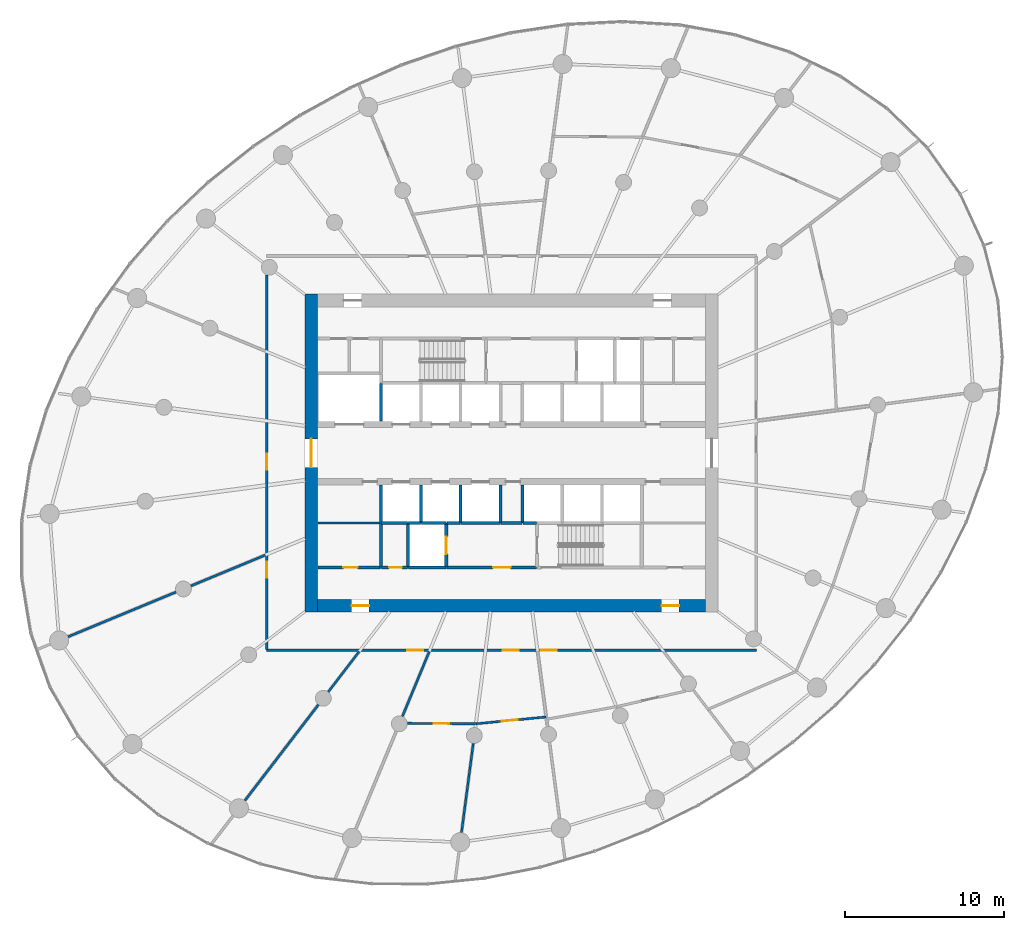
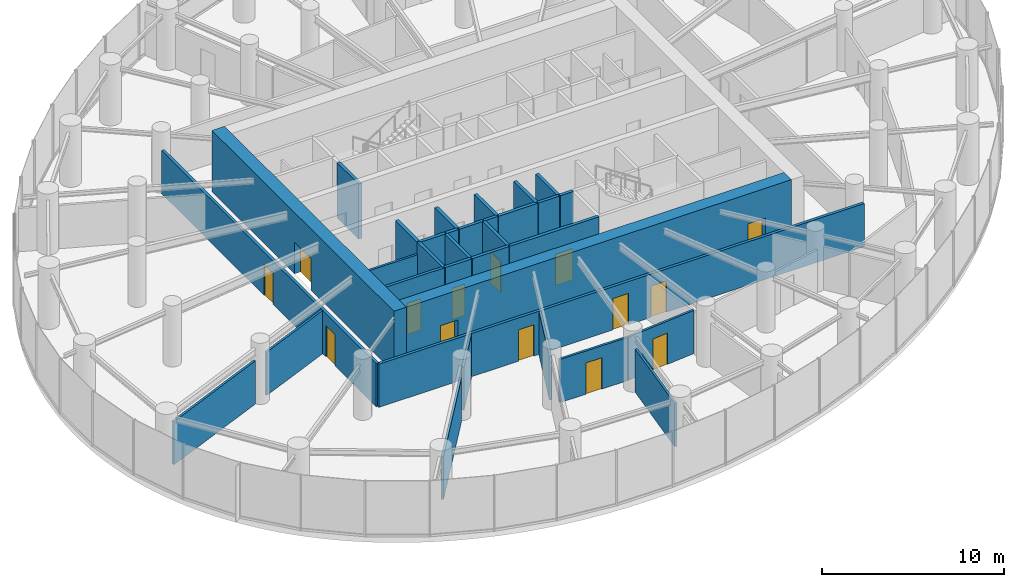
# One storey, part 10 of 17: 33 walls, 14 doors, 14 openings.
"""IFC4 building model written with IfcOpenShell, lengths in metres."""

from ifc_helpers import new_model, si_unit, direction, frame, frame_2d, origin, place, context, subcontext, project, spatial, rectangle, extrude, source, transform, mapped, material, layer, layer_set, type_object, element, fill, save


model = new_model("IFC4")

# Units and contexts
model_context = context("Model", 3, precision=1e-05, world=origin(), true_north=direction((0.0, 1.0)))
body_context = subcontext(model_context, "Body", "Model", "MODEL_VIEW")
ifc_project = project(units=[si_unit("LENGTHUNIT", "METRE"), si_unit("AREAUNIT", "SQUARE_METRE"), si_unit("VOLUMEUNIT", "CUBIC_METRE"), si_unit("PLANEANGLEUNIT", "RADIAN"), si_unit("MASSUNIT", "GRAM", prefix="KILO")], contexts=[model_context])

# Site, building, storey
site_placement = place(None, origin())
site = spatial("IfcSite", under=ifc_project, at=site_placement, CompositionType="ELEMENT")
building_placement = place(site_placement, origin())
building = spatial("IfcBuilding", under=site, at=building_placement, Name="Spindrift Exchange Tower", CompositionType="ELEMENT")
storey_placement = place(building_placement, frame((0.0, 0.0, 120.800048828125)))
storey = spatial("IfcBuildingStorey", under=building, at=storey_placement, Name="L28", CompositionType="ELEMENT", Elevation=120.800048828125)

# Wall, opening, door
ifc_material_1 = material(Name="Concrete 65 MPa", Category="concrete")
ifc_layer_1 = layer(ifc_material_1, 0.800048828125)
ifc_layer_set_1 = layer_set([ifc_layer_1], Name="RC Core Wall 800 Concrete 65 MPa")
wall_type_1 = type_object("IfcWallType", Name="RC Core Wall 800 Concrete 65 MPa", PredefinedType="SHEAR", material=ifc_layer_set_1)
wall_1_placement = place(storey_placement, frame((39.39990234375, 58.0, 0.0), z_axis=(0.0, 0.0, 1.0), x_axis=(0.0, -1.0, 0.0)))
wall_1 = element("IfcWall", 1, at=wall_1_placement, inside=storey, type_object=wall_type_1, Name="Core wall W L28", PredefinedType="SHEAR", context=body_context, shape_type="SweptSolid", body=[
    extrude(rectangle(XDim=20.0, YDim=0.800048828125, at=frame_2d((10.0, 0.0))), origin(), (0.0, 0.0, 1.0), 4.099853515625),
])
opening_1_placement = place(wall_1_placement, frame((9.10009765625, 0.0, 0.0)))
opening_1 = element("IfcOpeningElement", 2, at=opening_1_placement, cuts=wall_1, Name="Opening L28-D1", PredefinedType="OPENING", context=body_context, shape_type="SweptSolid", body=[
    extrude(rectangle(XDim=1.800048828125, YDim=2.10009765625, at=frame_2d((0.89990234375, 1.050048828125))), frame((0.0, 0.409912109375, 0.0), z_axis=(0.0, -1.0, 0.0), x_axis=(1.0, 0.0, 0.0)), (0.0, 0.0, 1.0), 0.820068359375),
])
ifc_material_2 = material(Name="Timber-core fire door", Category="wood")
door_type_1 = type_object("IfcDoorType", Name="DR-LOBBY-1800", OperationType="NOTDEFINED", PredefinedType="DOOR", material=ifc_material_2)
shared_shape_1 = source(origin(), body_context, "Body", "SweptSolid", [
    extrude(rectangle(XDim=1.800048828125, YDim=2.10009765625, at=frame_2d((0.89990234375, 1.050048828125))), frame((0.0, 0.02490234375, 0.0), z_axis=(0.0, -1.0, 0.0), x_axis=(1.0, 0.0, 0.0)), (0.0, 0.0, 1.0), 0.050048828125),
])
door_1_placement = place(opening_1_placement, origin())
door_1 = element("IfcDoor", 3, at=door_1_placement, inside=storey, type_object=door_type_1, Name="L28 Lobby door 1", OperationType="SINGLE_SWING_RIGHT", OverallHeight=2.10009765625, OverallWidth=1.800048828125, PredefinedType="DOOR", context=body_context, shape_type="MappedRepresentation", body=[
    mapped(shared_shape_1, transform((0.0, 0.0, 0.0), scale=1.0)),
])
fill(opening_1, door_1)

# Wall, openings, doors
wall_2_placement = place(storey_placement, frame((39.800048828125, 38.39990234375, 0.0), z_axis=(0.0, 0.0, 1.0), x_axis=(1.0, 0.0, 0.0)))
wall_2 = element("IfcWall", 4, at=wall_2_placement, inside=storey, type_object=wall_type_1, Name="Core wall S L28", PredefinedType="SHEAR", context=body_context, shape_type="SweptSolid", body=[
    extrude(rectangle(XDim=24.39990234375, YDim=0.800048828125, at=frame_2d((12.199951171875, 0.0))), origin(), (0.0, 0.0, 1.0), 4.099853515625),
])
opening_2_placement = place(wall_2_placement, frame((21.64990234375, 0.0, 0.0)))
opening_2 = element("IfcOpeningElement", 5, at=opening_2_placement, cuts=wall_2, Name="Opening L28-D22", PredefinedType="OPENING", context=body_context, shape_type="SweptSolid", body=[
    extrude(rectangle(XDim=1.10009765625, YDim=2.10009765625, at=frame_2d((0.550048828125, 1.050048828125))), frame((0.0, 0.409912109375, 0.0), z_axis=(0.0, -1.0, 0.0), x_axis=(1.0, 0.0, 0.0)), (0.0, 0.0, 1.0), 0.820068359375),
])
opening_3_placement = place(wall_2_placement, frame((2.14990234375, 0.0, 0.0)))
opening_3 = element("IfcOpeningElement", 6, at=opening_3_placement, cuts=wall_2, Name="Opening L28-D23", PredefinedType="OPENING", context=body_context, shape_type="SweptSolid", body=[
    extrude(rectangle(XDim=1.10009765625, YDim=2.10009765625, at=frame_2d((0.550048828125, 1.050048828125))), frame((0.0, 0.409912109375, 0.0), z_axis=(0.0, -1.0, 0.0), x_axis=(1.0, 0.0, 0.0)), (0.0, 0.0, 1.0), 0.820068359375),
])
ifc_material_3 = material(Name="Steel fire door", Category="steel")
door_type_2 = type_object("IfcDoorType", Name="DR-STAIR-1100", OperationType="NOTDEFINED", PredefinedType="DOOR", material=ifc_material_3)
shared_shape_2 = source(origin(), body_context, "Body", "SweptSolid", [
    extrude(rectangle(XDim=1.10009765625, YDim=2.10009765625, at=frame_2d((0.550048828125, 1.050048828125))), frame((0.0, 0.02490234375, 0.0), z_axis=(0.0, -1.0, 0.0), x_axis=(1.0, 0.0, 0.0)), (0.0, 0.0, 1.0), 0.050048828125),
])
door_2_placement = place(opening_2_placement, origin())
door_2 = element("IfcDoor", 7, at=door_2_placement, inside=storey, type_object=door_type_2, Name="L28 Stair door 22", OperationType="SINGLE_SWING_LEFT", OverallHeight=2.10009765625, OverallWidth=1.10009765625, PredefinedType="DOOR", context=body_context, shape_type="MappedRepresentation", body=[
    mapped(shared_shape_2, transform((0.0, 0.0, 0.0), scale=1.0)),
])
fill(opening_2, door_2)
door_3_placement = place(opening_3_placement, origin())
door_3 = element("IfcDoor", 8, at=door_3_placement, inside=storey, type_object=door_type_2, Name="L28 Stair door 23", OperationType="SINGLE_SWING_RIGHT", OverallHeight=2.10009765625, OverallWidth=1.10009765625, PredefinedType="DOOR", context=body_context, shape_type="MappedRepresentation", body=[
    mapped(shared_shape_2, transform((0.0, 0.0, 0.0), scale=1.0)),
])
fill(opening_3, door_3)

# Wall, opening, door
ifc_material_4 = material(Name="Fire-rated plasterboard partition", Category="gypsum")
ifc_layer_2 = layer(ifc_material_4, 0.179931640625)
ifc_layer_set_2 = layer_set([ifc_layer_2], Name="W-CORR-180")
wall_type_2 = type_object("IfcWallType", Name="W-CORR-180", PredefinedType="PARTITIONING", material=ifc_layer_set_2)
wall_3_placement = place(storey_placement, frame((39.820068359375, 40.800048828125, 0.0), z_axis=(0.0, 0.0, 1.0), x_axis=(1.0, 0.0, 0.0)))
wall_3 = element("IfcWall", 9, at=wall_3_placement, inside=storey, type_object=wall_type_2, Name="L28 Partition wall 63", PredefinedType="PARTITIONING", context=body_context, shape_type="SweptSolid", body=[
    extrude(rectangle(XDim=3.949951171875, YDim=0.179931640625, at=frame_2d((1.97509765625, 0.0))), origin(), (0.0, 0.0, 1.0), 3.699951171875),
])
opening_4_placement = place(wall_3_placement, frame((1.60009765625, 0.0, 0.0)))
opening_4 = element("IfcOpeningElement", 10, at=opening_4_placement, cuts=wall_3, Name="Opening L28-D46", PredefinedType="OPENING", context=body_context, shape_type="SweptSolid", body=[
    extrude(rectangle(XDim=0.89990234375, YDim=2.10009765625, at=frame_2d((0.449951171875, 1.050048828125))), frame((0.0, 0.099853515625, 0.0), z_axis=(0.0, -1.0, 0.0), x_axis=(1.0, 0.0, 0.0)), (0.0, 0.0, 1.0), 0.199951171875),
])
ifc_material_5 = material(Name="Steel access door", Category="steel")
door_type_3 = type_object("IfcDoorType", Name="DR-RISER-900", OperationType="NOTDEFINED", PredefinedType="DOOR", material=ifc_material_5)
shared_shape_3 = source(origin(), body_context, "Body", "SweptSolid", [
    extrude(rectangle(XDim=0.89990234375, YDim=2.10009765625, at=frame_2d((0.449951171875, 1.050048828125))), frame((0.0, 0.02490234375, 0.0), z_axis=(0.0, -1.0, 0.0), x_axis=(1.0, 0.0, 0.0)), (0.0, 0.0, 1.0), 0.050048828125),
])
door_4_placement = place(opening_4_placement, origin())
door_4 = element("IfcDoor", 11, at=door_4_placement, inside=storey, type_object=door_type_3, Name="L28 Riser door 46", OperationType="SINGLE_SWING_LEFT", OverallHeight=2.10009765625, OverallWidth=0.89990234375, PredefinedType="DOOR", context=body_context, shape_type="MappedRepresentation", body=[
    mapped(shared_shape_3, transform((0.0, 0.0, 0.0), scale=1.0)),
])
fill(opening_4, door_4)

ifc_layer_3 = layer(ifc_material_4, 0.139892578125)
ifc_layer_set_3 = layer_set([ifc_layer_3], Name="W-PART-140")
wall_type_3 = type_object("IfcWallType", Name="W-PART-140", PredefinedType="PARTITIONING", material=ifc_layer_set_3)
wall_4_placement = place(storey_placement, frame((54.185546875, 31.3994140625, 0.0), z_axis=(0.0, 0.0, 1.0), x_axis=(-0.995308336276, -0.096753892636, 0.0)))
wall_4 = element("IfcWall", 12, at=wall_4_placement, inside=storey, type_object=wall_type_3, Name="L28 Partition wall 85", PredefinedType="PARTITIONING", context=body_context, shape_type="SweptSolid", body=[
    extrude(rectangle(XDim=4.448486328125, YDim=0.139892578125, at=frame_2d((2.22412109375, 0.0))), origin(), (0.0, 0.0, 1.0), 2.89990234375),
])
opening_5_placement = place(wall_4_placement, frame((1.798583984375, 0.0, 0.0)))
opening_5 = element("IfcOpeningElement", 13, at=opening_5_placement, cuts=wall_4, Name="Opening L28-D33", PredefinedType="OPENING", context=body_context, shape_type="SweptSolid", body=[
    extrude(rectangle(XDim=1.0, YDim=2.10009765625, at=frame_2d((0.5, 1.050048828125))), frame((0.0, 0.079833984375, 0.0), z_axis=(0.0, -1.0, 0.0), x_axis=(1.0, 0.0, 0.0)), (0.0, 0.0, 1.0), 0.159912109375),
])
door_type_4 = type_object("IfcDoorType", Name="DR-ROOM-1000", OperationType="NOTDEFINED", PredefinedType="DOOR", material=ifc_material_2)
shared_shape_4 = source(origin(), body_context, "Body", "SweptSolid", [
    extrude(rectangle(XDim=1.0, YDim=2.10009765625, at=frame_2d((0.5, 1.050048828125))), frame((0.0, 0.02490234375, 0.0), z_axis=(0.0, -1.0, 0.0), x_axis=(1.0, 0.0, 0.0)), (0.0, 0.0, 1.0), 0.050048828125),
])
door_5_placement = place(opening_5_placement, origin())
door_5 = element("IfcDoor", 14, at=door_5_placement, inside=storey, type_object=door_type_4, Name="L28 Door 33", OperationType="SINGLE_SWING_RIGHT", OverallHeight=2.10009765625, OverallWidth=1.0, PredefinedType="DOOR", context=body_context, shape_type="MappedRepresentation", body=[
    mapped(shared_shape_4, transform((0.0, 0.0, 0.0), scale=1.0)),
])
fill(opening_5, door_5)

# Walls
wall_5_placement = place(storey_placement, frame((43.77001953125, 43.60009765625, 0.0), z_axis=(0.0, 0.0, 1.0), x_axis=(-1.0, 0.0, 0.0)))
element("IfcWall", 15, at=wall_5_placement, inside=storey, type_object=wall_type_3, Name="L28 Partition wall 94", PredefinedType="PARTITIONING", context=body_context, shape_type="SweptSolid", body=[
    extrude(rectangle(XDim=3.949951171875, YDim=0.139892578125, at=frame_2d((1.97509765625, 0.0))), origin(), (0.0, 0.0, 1.0), 2.89990234375),
])
ifc_layer_4 = layer(ifc_material_4, 0.139892578125)
ifc_layer_set_4 = layer_set([ifc_layer_4], Name="W-PLANT-140")
wall_type_4 = type_object("IfcWallType", Name="W-PLANT-140", PredefinedType="PARTITIONING", material=ifc_layer_set_4)
wall_6_placement = place(storey_placement, frame((39.85791015625, 32.176025390625, 0.0), z_axis=(0.0, 0.0, 1.0), x_axis=(-0.608755907151, -0.793357577331, 0.0)))
element("IfcWall", 16, at=wall_6_placement, inside=storey, type_object=wall_type_4, Name="L28 Partition wall 65", PredefinedType="PARTITIONING", context=body_context, shape_type="SweptSolid", body=[
    extrude(rectangle(XDim=7.614990234375, YDim=0.139892578125, at=frame_2d((3.8076171875, 0.0))), origin(), (0.0, 0.0, 1.0), 2.89990234375),
])
wall_7_placement = place(storey_placement, frame((30.89404296875, 39.2578125, 0.0), z_axis=(0.0, 0.0, 1.0), x_axis=(-0.923867037115, -0.382713597528, 0.0)))
element("IfcWall", 17, at=wall_7_placement, inside=storey, type_object=wall_type_4, Name="L28 Partition wall 66", PredefinedType="PARTITIONING", context=body_context, shape_type="SweptSolid", body=[
    extrude(rectangle(XDim=7.35009765625, YDim=0.139892578125, at=frame_2d((3.675048828125, 0.0))), origin(), (0.0, 0.0, 1.0), 2.89990234375),
])
wall_8_placement = place(storey_placement, frame((49.594970703125, 29.732666015625, 0.0), z_axis=(0.0, 0.0, 1.0), x_axis=(-0.130510314557, -0.991446951578, 0.0)))
element("IfcWall", 18, at=wall_8_placement, inside=storey, type_object=wall_type_4, Name="L28 Partition wall 74", PredefinedType="PARTITIONING", context=body_context, shape_type="SweptSolid", body=[
    extrude(rectangle(XDim=5.65869140625, YDim=0.139892578125, at=frame_2d((2.829345703125, 0.0))), origin(), (0.0, 0.0, 1.0), 2.89990234375),
])
wall_9_placement = place(storey_placement, frame((36.510009765625, 41.583740234375, 0.0), z_axis=(0.0, 0.0, 1.0), x_axis=(-0.923890025086, -0.382658100067, 0.0)))
element("IfcWall", 19, at=wall_9_placement, inside=storey, type_object=wall_type_4, Name="L28 Partition wall 77", PredefinedType="PARTITIONING", context=body_context, shape_type="SweptSolid", body=[
    extrude(rectangle(XDim=5.068359375, YDim=0.139892578125, at=frame_2d((2.5341796875, 0.0))), origin(), (0.0, 0.0, 1.0), 2.89990234375),
])
wall_10_placement = place(storey_placement, frame((46.826416015625, 35.510009765625, 0.0), z_axis=(0.0, 0.0, 1.0), x_axis=(-0.382672831764, -0.923883923353, 0.0)))
element("IfcWall", 20, at=wall_10_placement, inside=storey, type_object=wall_type_4, Name="L28 Partition wall 83", PredefinedType="PARTITIONING", context=body_context, shape_type="SweptSolid", body=[
    extrude(rectangle(XDim=4.410400390625, YDim=0.139892578125, at=frame_2d((2.205078125, 0.0))), origin(), (0.0, 0.0, 1.0), 2.89990234375),
])

# Wall, opening, door
wall_11_placement = place(storey_placement, frame((49.727783203125, 30.96923828125, 0.0), z_axis=(0.0, 0.0, 1.0), x_axis=(-0.999976168049, 0.006903863764, 0.0)))
wall_11 = element("IfcWall", 21, at=wall_11_placement, inside=storey, type_object=wall_type_4, Name="L28 Partition wall 87", PredefinedType="PARTITIONING", context=body_context, shape_type="SweptSolid", body=[
    extrude(rectangle(XDim=4.27880859375, YDim=0.139892578125, at=frame_2d((2.139404296875, 0.0))), origin(), (0.0, 0.0, 1.0), 2.89990234375),
])
opening_6_placement = place(wall_11_placement, frame((1.62890625, 0.0, 0.0)))
opening_6 = element("IfcOpeningElement", 22, at=opening_6_placement, cuts=wall_11, Name="Opening L28-D32", PredefinedType="OPENING", context=body_context, shape_type="SweptSolid", body=[
    extrude(rectangle(XDim=1.0, YDim=2.10009765625, at=frame_2d((0.5, 1.050048828125))), frame((0.0, 0.079833984375, 0.0), z_axis=(0.0, -1.0, 0.0), x_axis=(1.0, 0.0, 0.0)), (0.0, 0.0, 1.0), 0.159912109375),
])
door_6_placement = place(opening_6_placement, origin())
door_6 = element("IfcDoor", 23, at=door_6_placement, inside=storey, type_object=door_type_4, Name="L28 Door 32", OperationType="SINGLE_SWING_LEFT", OverallHeight=2.10009765625, OverallWidth=1.0, PredefinedType="DOOR", context=body_context, shape_type="MappedRepresentation", body=[
    mapped(shared_shape_4, transform((0.0, 0.0, 0.0), scale=1.0)),
])
fill(opening_6, door_6)

# Wall
wall_12_placement = place(storey_placement, frame((42.416015625, 35.510009765625, 0.0), z_axis=(0.0, 0.0, 1.0), x_axis=(-0.60874605662, -0.793365135703, 0.0)))
element("IfcWall", 24, at=wall_12_placement, inside=storey, type_object=wall_type_4, Name="L28 Partition wall 100", PredefinedType="PARTITIONING", context=body_context, shape_type="SweptSolid", body=[
    extrude(rectangle(XDim=3.193603515625, YDim=0.139892578125, at=frame_2d((1.5966796875, 0.0))), origin(), (0.0, 0.0, 1.0), 2.89990234375),
])

# Wall, openings, doors
ifc_layer_5 = layer(ifc_material_4, 0.179931640625)
ifc_layer_set_5 = layer_set([ifc_layer_5], Name="W-PLANT-180")
wall_type_5 = type_object("IfcWallType", Name="W-PLANT-180", PredefinedType="PARTITIONING", material=ifc_layer_set_5)
wall_13_placement = place(storey_placement, frame((67.39990234375, 35.60009765625, 0.0), z_axis=(0.0, 0.0, 1.0), x_axis=(-1.0, 0.0, 0.0)))
wall_13 = element("IfcWall", 25, at=wall_13_placement, inside=storey, type_object=wall_type_5, Name="L28 Partition wall 57", PredefinedType="PARTITIONING", context=body_context, shape_type="SweptSolid", body=[
    extrude(rectangle(XDim=30.7998046875, YDim=0.179931640625, at=frame_2d((15.39990234375, 0.0))), origin(), (0.0, 0.0, 1.0), 2.89990234375),
])
opening_7_placement = place(wall_13_placement, frame((20.949951171875, 0.0, 0.0)))
opening_7 = element("IfcOpeningElement", 26, at=opening_7_placement, cuts=wall_13, Name="Opening L28-D30", PredefinedType="OPENING", context=body_context, shape_type="SweptSolid", body=[
    extrude(rectangle(XDim=1.0, YDim=2.10009765625, at=frame_2d((0.5, 1.050048828125))), frame((0.0, 0.099853515625, 0.0), z_axis=(0.0, -1.0, 0.0), x_axis=(1.0, 0.0, 0.0)), (0.0, 0.0, 1.0), 0.199951171875),
])
opening_8_placement = place(wall_13_placement, frame((14.949951171875, 0.0, 0.0)))
opening_8 = element("IfcOpeningElement", 27, at=opening_8_placement, cuts=wall_13, Name="Opening L28-D31", PredefinedType="OPENING", context=body_context, shape_type="SweptSolid", body=[
    extrude(rectangle(XDim=1.0, YDim=2.10009765625, at=frame_2d((0.5, 1.050048828125))), frame((0.0, 0.099853515625, 0.0), z_axis=(0.0, -1.0, 0.0), x_axis=(1.0, 0.0, 0.0)), (0.0, 0.0, 1.0), 0.199951171875),
])
opening_9_placement = place(wall_13_placement, frame((12.550048828125, 0.0, 0.0)))
opening_9 = element("IfcOpeningElement", 28, at=opening_9_placement, cuts=wall_13, Name="Opening L28-D34", PredefinedType="OPENING", context=body_context, shape_type="SweptSolid", body=[
    extrude(rectangle(XDim=1.0, YDim=2.10009765625, at=frame_2d((0.5, 1.050048828125))), frame((0.0, 0.099853515625, 0.0), z_axis=(0.0, -1.0, 0.0), x_axis=(1.0, 0.0, 0.0)), (0.0, 0.0, 1.0), 0.199951171875),
])
door_7_placement = place(opening_7_placement, origin())
door_7 = element("IfcDoor", 29, at=door_7_placement, inside=storey, type_object=door_type_4, Name="L28 Door 30", OperationType="SINGLE_SWING_LEFT", OverallHeight=2.10009765625, OverallWidth=1.0, PredefinedType="DOOR", context=body_context, shape_type="MappedRepresentation", body=[
    mapped(shared_shape_4, transform((0.0, 0.0, 0.0), scale=1.0)),
])
fill(opening_7, door_7)
door_8_placement = place(opening_8_placement, origin())
door_8 = element("IfcDoor", 30, at=door_8_placement, inside=storey, type_object=door_type_4, Name="L28 Door 31", OperationType="SINGLE_SWING_RIGHT", OverallHeight=2.10009765625, OverallWidth=1.0, PredefinedType="DOOR", context=body_context, shape_type="MappedRepresentation", body=[
    mapped(shared_shape_4, transform((0.0, 0.0, 0.0), scale=1.0)),
])
fill(opening_8, door_8)
door_9_placement = place(opening_9_placement, origin())
door_9 = element("IfcDoor", 31, at=door_9_placement, inside=storey, type_object=door_type_4, Name="L28 Door 34", OperationType="SINGLE_SWING_LEFT", OverallHeight=2.10009765625, OverallWidth=1.0, PredefinedType="DOOR", context=body_context, shape_type="MappedRepresentation", body=[
    mapped(shared_shape_4, transform((0.0, 0.0, 0.0), scale=1.0)),
])
fill(opening_9, door_9)

wall_14_placement = place(storey_placement, frame((36.60009765625, 35.6298828125, 0.0), z_axis=(0.0, 0.0, 1.0), x_axis=(0.0, 1.0, 0.0)))
wall_14 = element("IfcWall", 32, at=wall_14_placement, inside=storey, type_object=wall_type_5, Name="L28 Partition wall 60", PredefinedType="PARTITIONING", context=body_context, shape_type="SweptSolid", body=[
    extrude(rectangle(XDim=23.58251953125, YDim=0.179931640625, at=frame_2d((11.791259765625, 0.0))), origin(), (0.0, 0.0, 1.0), 2.89990234375),
])
opening_10_placement = place(wall_14_placement, frame((11.33251953125, 0.0, 0.0)))
opening_10 = element("IfcOpeningElement", 33, at=opening_10_placement, cuts=wall_14, Name="Opening L28-D28", PredefinedType="OPENING", context=body_context, shape_type="SweptSolid", body=[
    extrude(rectangle(XDim=1.0, YDim=2.10009765625, at=frame_2d((0.5, 1.050048828125))), frame((0.0, 0.099853515625, 0.0), z_axis=(0.0, -1.0, 0.0), x_axis=(1.0, 0.0, 0.0)), (0.0, 0.0, 1.0), 0.199951171875),
])
opening_11_placement = place(wall_14_placement, frame((4.532470703125, 0.0, 0.0)))
opening_11 = element("IfcOpeningElement", 34, at=opening_11_placement, cuts=wall_14, Name="Opening L28-D29", PredefinedType="OPENING", context=body_context, shape_type="SweptSolid", body=[
    extrude(rectangle(XDim=1.0, YDim=2.10009765625, at=frame_2d((0.5, 1.050048828125))), frame((0.0, 0.099853515625, 0.0), z_axis=(0.0, -1.0, 0.0), x_axis=(1.0, 0.0, 0.0)), (0.0, 0.0, 1.0), 0.199951171875),
])
door_10_placement = place(opening_10_placement, origin())
door_10 = element("IfcDoor", 35, at=door_10_placement, inside=storey, type_object=door_type_4, Name="L28 Door 28", OperationType="SINGLE_SWING_LEFT", OverallHeight=2.10009765625, OverallWidth=1.0, PredefinedType="DOOR", context=body_context, shape_type="MappedRepresentation", body=[
    mapped(shared_shape_4, transform((0.0, 0.0, 0.0), scale=1.0)),
])
fill(opening_10, door_10)
door_11_placement = place(opening_11_placement, origin())
door_11 = element("IfcDoor", 36, at=door_11_placement, inside=storey, type_object=door_type_4, Name="L28 Door 29", OperationType="SINGLE_SWING_RIGHT", OverallHeight=2.10009765625, OverallWidth=1.0, PredefinedType="DOOR", context=body_context, shape_type="MappedRepresentation", body=[
    mapped(shared_shape_4, transform((0.0, 0.0, 0.0), scale=1.0)),
])
fill(opening_11, door_11)

# Walls
ifc_material_6 = material(Name="Concrete 40 MPa", Category="concrete")
ifc_layer_6 = layer(ifc_material_6, 0.199951171875)
ifc_layer_set_6 = layer_set([ifc_layer_6], Name="W-SHAFT-200")
wall_type_6 = type_object("IfcWallType", Name="W-SHAFT-200", PredefinedType="SOLIDWALL", material=ifc_layer_set_6)
for number, where, z_axis, x_axis, name in (
    (37, (43.800048828125, 43.60009765625, 0.0), (0.0, 0.0, 1.0), (0.0, -1.0, 0.0), "L28 Shaft wall 6"),
    (38, (45.5, 43.60009765625, 0.0), (0.0, 0.0, 1.0), (0.0, -1.0, 0.0), "L28 Shaft wall 7"),
):
    element("IfcWall", number, at=place(storey_placement, frame(where, z_axis=z_axis, x_axis=x_axis)), inside=storey, type_object=wall_type_6, Name=name, PredefinedType="SOLIDWALL", context=body_context, shape_type="SweptSolid", body=[
        extrude(rectangle(XDim=2.800048828125, YDim=0.199951171875, at=frame_2d((1.39990234375, 0.0))), origin(), (0.0, 0.0, 1.0), 3.699951171875),
    ])

# Wall, opening, door
wall_15_placement = place(storey_placement, frame((47.89990234375, 40.830078125, 0.0), z_axis=(0.0, 0.0, 1.0), x_axis=(0.0, 1.0, 0.0)))
wall_15 = element("IfcWall", 39, at=wall_15_placement, inside=storey, type_object=wall_type_6, Name="L28 Shaft wall 8", PredefinedType="SOLIDWALL", context=body_context, shape_type="SweptSolid", body=[
    extrude(rectangle(XDim=2.77001953125, YDim=0.199951171875, at=frame_2d((1.385009765625, 0.0))), origin(), (0.0, 0.0, 1.0), 3.699951171875),
])
opening_12_placement = place(wall_15_placement, frame((0.820068359375, 0.0, 0.0)))
opening_12 = element("IfcOpeningElement", 40, at=opening_12_placement, cuts=wall_15, Name="Opening L28-D10", PredefinedType="OPENING", context=body_context, shape_type="SweptSolid", body=[
    extrude(rectangle(XDim=1.10009765625, YDim=2.10009765625, at=frame_2d((0.550048828125, 1.050048828125))), frame((0.0, 0.10986328125, 0.0), z_axis=(0.0, -1.0, 0.0), x_axis=(1.0, 0.0, 0.0)), (0.0, 0.0, 1.0), 0.219970703125),
])
ifc_material_7 = material(Name="Stainless steel landing door", Category="steel")
door_type_5 = type_object("IfcDoorType", Name="DR-LANDING-1100-SL", OperationType="DOUBLE_DOOR_SLIDING", PredefinedType="USERDEFINED", material=ifc_material_7)
shared_shape_5 = source(origin(), body_context, "Body", "SweptSolid", [
    extrude(rectangle(XDim=1.10009765625, YDim=2.10009765625, at=frame_2d((0.550048828125, 1.050048828125))), frame((0.0, 0.02490234375, 0.0), z_axis=(0.0, -1.0, 0.0), x_axis=(1.0, 0.0, 0.0)), (0.0, 0.0, 1.0), 0.050048828125),
])
door_12_placement = place(opening_12_placement, origin())
door_12 = element("IfcDoor", 41, at=door_12_placement, inside=storey, type_object=door_type_5, Name="L28 Lift landing door 10", ObjectType="LANDING DOOR", OperationType="DOUBLE_DOOR_SLIDING", OverallHeight=2.10009765625, OverallWidth=1.10009765625, PredefinedType="USERDEFINED", context=body_context, shape_type="MappedRepresentation", body=[
    mapped(shared_shape_5, transform((0.0, 0.0, 0.0), scale=1.0)),
])
fill(opening_12, door_12)

# Walls
wall_16_placement = place(storey_placement, frame((48.800048828125, 43.60009765625, 0.0), z_axis=(0.0, 0.0, 1.0), x_axis=(1.0, 0.0, 0.0)))
element("IfcWall", 42, at=wall_16_placement, inside=storey, type_object=wall_type_6, Name="L28 Shaft wall 17", PredefinedType="SOLIDWALL", context=body_context, shape_type="SweptSolid", body=[
    extrude(rectangle(XDim=2.5, YDim=0.199951171875, at=frame_2d((1.25, 0.0))), origin(), (0.0, 0.0, 1.0), 3.699951171875),
])
wall_17_placement = place(storey_placement, frame((45.530029296875, 40.800048828125, 0.0), z_axis=(0.0, 0.0, 1.0), x_axis=(1.0, 0.0, 0.0)))
element("IfcWall", 43, at=wall_17_placement, inside=storey, type_object=wall_type_6, Name="L28 Shaft wall 21", PredefinedType="SOLIDWALL", context=body_context, shape_type="SweptSolid", body=[
    extrude(rectangle(XDim=2.340087890625, YDim=0.199951171875, at=frame_2d((1.169921875, 0.0))), origin(), (0.0, 0.0, 1.0), 3.699951171875),
])
wall_18_placement = place(storey_placement, frame((43.800048828125, 45.989990234375, 0.0), z_axis=(0.0, 0.0, 1.0), x_axis=(0.0, -1.0, 0.0)))
element("IfcWall", 44, at=wall_18_placement, inside=storey, type_object=wall_type_6, Name="L28 Shaft wall 23", PredefinedType="SOLIDWALL", context=body_context, shape_type="SweptSolid", body=[
    extrude(rectangle(XDim=2.360107421875, YDim=0.199951171875, at=frame_2d((1.18017578125, 0.0))), origin(), (0.0, 0.0, 1.0), 3.699951171875),
])
wall_19_placement = place(storey_placement, frame((46.300048828125, 43.60009765625, 0.0), z_axis=(0.0, 0.0, 1.0), x_axis=(0.0, 1.0, 0.0)))
element("IfcWall", 45, at=wall_19_placement, inside=storey, type_object=wall_type_6, Name="L28 Shaft wall 25", PredefinedType="SOLIDWALL", context=body_context, shape_type="SweptSolid", body=[
    extrude(rectangle(XDim=2.389892578125, YDim=0.199951171875, at=frame_2d((1.19482421875, 0.0))), origin(), (0.0, 0.0, 1.0), 3.699951171875),
])
for number, where, z_axis, x_axis, name in (
    (46, (48.800048828125, 43.6298828125, 0.0), (0.0, 0.0, 1.0), (0.0, 1.0, 0.0), "L28 Shaft wall 27"),
    (47, (51.300048828125, 43.6298828125, 0.0), (0.0, 0.0, 1.0), (0.0, 1.0, 0.0), "L28 Shaft wall 29"),
):
    element("IfcWall", number, at=place(storey_placement, frame(where, z_axis=z_axis, x_axis=x_axis)), inside=storey, type_object=wall_type_6, Name=name, PredefinedType="SOLIDWALL", context=body_context, shape_type="SweptSolid", body=[
        extrude(rectangle(XDim=2.360107421875, YDim=0.199951171875, at=frame_2d((1.18017578125, 0.0))), origin(), (0.0, 0.0, 1.0), 3.699951171875),
    ])
wall_20_placement = place(storey_placement, frame((52.699951171875, 45.989990234375, 0.0), z_axis=(0.0, 0.0, 1.0), x_axis=(0.0, -1.0, 0.0)))
element("IfcWall", 48, at=wall_20_placement, inside=storey, type_object=wall_type_6, Name="L28 Shaft wall 31", PredefinedType="SOLIDWALL", context=body_context, shape_type="SweptSolid", body=[
    extrude(rectangle(XDim=2.389892578125, YDim=0.199951171875, at=frame_2d((1.19482421875, 0.0))), origin(), (0.0, 0.0, 1.0), 3.699951171875),
])
wall_21_placement = place(storey_placement, frame((43.830078125, 43.60009765625, 0.0), z_axis=(0.0, 0.0, 1.0), x_axis=(1.0, 0.0, 0.0)))
element("IfcWall", 49, at=wall_21_placement, inside=storey, type_object=wall_type_6, Name="L28 Shaft wall 40", PredefinedType="SOLIDWALL", context=body_context, shape_type="SweptSolid", body=[
    extrude(rectangle(XDim=1.639892578125, YDim=0.199951171875, at=frame_2d((0.81982421875, 0.0))), origin(), (0.0, 0.0, 1.0), 3.699951171875),
])

# Wall, opening, door
wall_22_placement = place(storey_placement, frame((43.830078125, 40.800048828125, 0.0), z_axis=(0.0, 0.0, 1.0), x_axis=(1.0, 0.0, 0.0)))
wall_22 = element("IfcWall", 50, at=wall_22_placement, inside=storey, type_object=wall_type_6, Name="L28 Shaft wall 41", PredefinedType="SOLIDWALL", context=body_context, shape_type="SweptSolid", body=[
    extrude(rectangle(XDim=1.639892578125, YDim=0.199951171875, at=frame_2d((0.81982421875, 0.0))), origin(), (0.0, 0.0, 1.0), 3.699951171875),
])
opening_13_placement = place(wall_22_placement, frame((0.469970703125, 0.0, 0.0)))
opening_13 = element("IfcOpeningElement", 51, at=opening_13_placement, cuts=wall_22, Name="Opening L28-D19", PredefinedType="OPENING", context=body_context, shape_type="SweptSolid", body=[
    extrude(rectangle(XDim=0.800048828125, YDim=2.10009765625, at=frame_2d((0.39990234375, 1.050048828125))), frame((0.0, 0.10986328125, 0.0), z_axis=(0.0, -1.0, 0.0), x_axis=(1.0, 0.0, 0.0)), (0.0, 0.0, 1.0), 0.219970703125),
])
door_type_6 = type_object("IfcDoorType", Name="DR-RISER-800", OperationType="NOTDEFINED", PredefinedType="DOOR", material=ifc_material_5)
shared_shape_6 = source(origin(), body_context, "Body", "SweptSolid", [
    extrude(rectangle(XDim=0.800048828125, YDim=2.10009765625, at=frame_2d((0.39990234375, 1.050048828125))), frame((0.0, 0.02490234375, 0.0), z_axis=(0.0, -1.0, 0.0), x_axis=(1.0, 0.0, 0.0)), (0.0, 0.0, 1.0), 0.050048828125),
])
door_13_placement = place(opening_13_placement, origin())
door_13 = element("IfcDoor", 52, at=door_13_placement, inside=storey, type_object=door_type_6, Name="L28 Riser door 19", OperationType="SINGLE_SWING_RIGHT", OverallHeight=2.10009765625, OverallWidth=0.800048828125, PredefinedType="DOOR", context=body_context, shape_type="MappedRepresentation", body=[
    mapped(shared_shape_6, transform((0.0, 0.0, 0.0), scale=1.0)),
])
fill(opening_13, door_13)

# Walls
wall_23_placement = place(storey_placement, frame((46.330078125, 43.60009765625, 0.0), z_axis=(0.0, 0.0, 1.0), x_axis=(1.0, 0.0, 0.0)))
element("IfcWall", 53, at=wall_23_placement, inside=storey, type_object=wall_type_6, Name="L28 Shaft wall 44", PredefinedType="SOLIDWALL", context=body_context, shape_type="SweptSolid", body=[
    extrude(rectangle(XDim=1.5400390625, YDim=0.199951171875, at=frame_2d((0.77001953125, 0.0))), origin(), (0.0, 0.0, 1.0), 3.699951171875),
])
wall_24_placement = place(storey_placement, frame((52.669921875, 43.60009765625, 0.0), z_axis=(0.0, 0.0, 1.0), x_axis=(-1.0, 0.0, 0.0)))
element("IfcWall", 54, at=wall_24_placement, inside=storey, type_object=wall_type_6, Name="L28 Shaft wall 48", PredefinedType="SOLIDWALL", context=body_context, shape_type="SweptSolid", body=[
    extrude(rectangle(XDim=1.33984375, YDim=0.199951171875, at=frame_2d((0.669921875, 0.0))), origin(), (0.0, 0.0, 1.0), 3.699951171875),
])
wall_25_placement = place(storey_placement, frame((47.929931640625, 43.60009765625, 0.0), z_axis=(0.0, 0.0, 1.0), x_axis=(1.0, 0.0, 0.0)))
element("IfcWall", 55, at=wall_25_placement, inside=storey, type_object=wall_type_6, Name="L28 Shaft wall 50", PredefinedType="SOLIDWALL", context=body_context, shape_type="SweptSolid", body=[
    extrude(rectangle(XDim=0.840087890625, YDim=0.199951171875, at=frame_2d((0.419921875, 0.0))), origin(), (0.0, 0.0, 1.0), 3.699951171875),
])
wall_26_placement = place(storey_placement, frame((45.530029296875, 43.60009765625, 0.0), z_axis=(0.0, 0.0, 1.0), x_axis=(1.0, 0.0, 0.0)))
element("IfcWall", 56, at=wall_26_placement, inside=storey, type_object=wall_type_6, Name="L28 Shaft wall 54", PredefinedType="SOLIDWALL", context=body_context, shape_type="SweptSolid", body=[
    extrude(rectangle(XDim=0.739990234375, YDim=0.199951171875, at=frame_2d((0.3701171875, 0.0))), origin(), (0.0, 0.0, 1.0), 3.699951171875),
])

# Wall, opening, door
ifc_layer_7 = layer(ifc_material_6, 0.199951171875)
ifc_layer_set_7 = layer_set([ifc_layer_7], Name="W-SHAFT-200-LB")
wall_type_7 = type_object("IfcWallType", Name="W-SHAFT-200-LB", PredefinedType="SOLIDWALL", material=ifc_layer_set_7)
wall_27_placement = place(storey_placement, frame((47.89990234375, 40.800048828125, 0.0), z_axis=(0.0, 0.0, 1.0), x_axis=(1.0, 0.0, 0.0)))
wall_27 = element("IfcWall", 57, at=wall_27_placement, inside=storey, type_object=wall_type_7, Name="L28 Shaft wall 3", PredefinedType="SOLIDWALL", context=body_context, shape_type="SweptSolid", body=[
    extrude(rectangle(XDim=5.670166015625, YDim=0.199951171875, at=frame_2d((2.8349609375, 0.0))), origin(), (0.0, 0.0, 1.0), 3.699951171875),
])
opening_14_placement = place(wall_27_placement, frame((2.949951171875, 0.0, 0.0)))
opening_14 = element("IfcOpeningElement", 58, at=opening_14_placement, cuts=wall_27, Name="Opening L28-D18", PredefinedType="OPENING", context=body_context, shape_type="SweptSolid", body=[
    extrude(rectangle(XDim=1.10009765625, YDim=2.10009765625, at=frame_2d((0.550048828125, 1.050048828125))), frame((0.0, 0.10986328125, 0.0), z_axis=(0.0, -1.0, 0.0), x_axis=(1.0, 0.0, 0.0)), (0.0, 0.0, 1.0), 0.219970703125),
])
door_type_7 = type_object("IfcDoorType", Name="DR-LOBBY-1100", OperationType="NOTDEFINED", PredefinedType="DOOR", material=ifc_material_2)
shared_shape_7 = source(origin(), body_context, "Body", "SweptSolid", [
    extrude(rectangle(XDim=1.10009765625, YDim=2.10009765625, at=frame_2d((0.550048828125, 1.050048828125))), frame((0.0, 0.02490234375, 0.0), z_axis=(0.0, -1.0, 0.0), x_axis=(1.0, 0.0, 0.0)), (0.0, 0.0, 1.0), 0.050048828125),
])
door_14_placement = place(opening_14_placement, origin())
door_14 = element("IfcDoor", 59, at=door_14_placement, inside=storey, type_object=door_type_7, Name="L28 Lobby door 18", OperationType="SINGLE_SWING_LEFT", OverallHeight=2.10009765625, OverallWidth=1.10009765625, PredefinedType="DOOR", context=body_context, shape_type="MappedRepresentation", body=[
    mapped(shared_shape_7, transform((0.0, 0.0, 0.0), scale=1.0)),
])
fill(opening_14, door_14)

# Walls
wall_28_placement = place(storey_placement, frame((43.800048828125, 52.3701171875, 0.0), z_axis=(0.0, 0.0, 1.0), x_axis=(0.0, -1.0, 0.0)))
element("IfcWall", 60, at=wall_28_placement, inside=storey, type_object=wall_type_7, Name="L28 Shaft wall 24", PredefinedType="SOLIDWALL", context=body_context, shape_type="SweptSolid", body=[
    extrude(rectangle(XDim=2.360107421875, YDim=0.199951171875, at=frame_2d((1.18017578125, 0.0))), origin(), (0.0, 0.0, 1.0), 3.699951171875),
])
wall_29_placement = place(storey_placement, frame((52.72998046875, 43.60009765625, 0.0), z_axis=(0.0, 0.0, 1.0), x_axis=(1.0, 0.0, 0.0)))
element("IfcWall", 61, at=wall_29_placement, inside=storey, type_object=wall_type_7, Name="L28 Shaft wall 52", PredefinedType="SOLIDWALL", context=body_context, shape_type="SweptSolid", body=[
    extrude(rectangle(XDim=0.840087890625, YDim=0.199951171875, at=frame_2d((0.419921875, 0.0))), origin(), (0.0, 0.0, 1.0), 3.699951171875),
])

save(model, "model.ifc")
